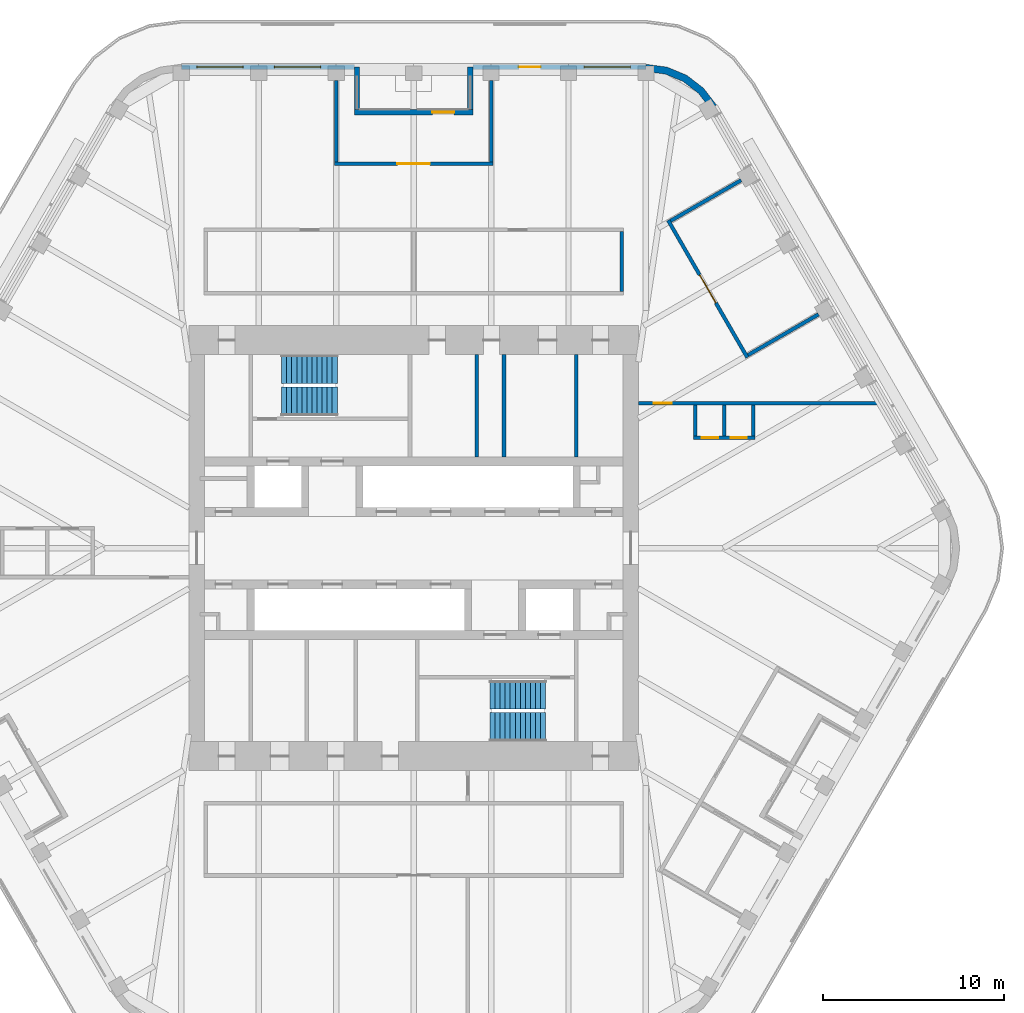
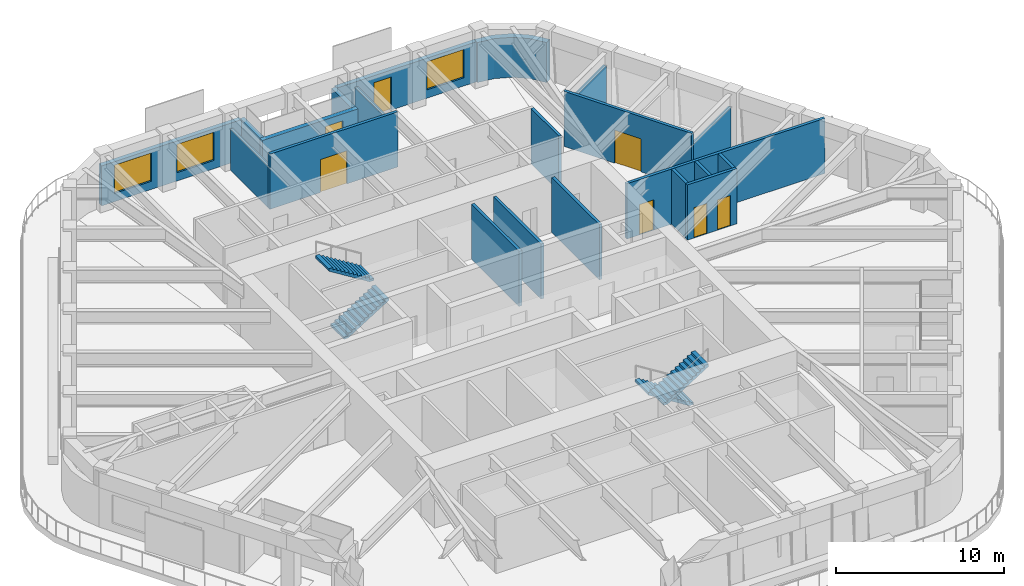
# One storey, part 16 of 19: 21 walls, 7 doors, 4 stair flights, 3 windows, 10 openings, 2 elements without a shape of their own.
"""IFC4 building model written with IfcOpenShell, lengths in metres."""

from ifc_helpers import new_model, si_unit, direction, frame, frame_2d, origin, place, context, subcontext, project, spatial, polyline, rectangle, outline, extrude, material, layer, layer_set, type_object, element, fill, aggregate, save


model = new_model("IFC4")

# Units and contexts
model_context = context("Model", 3, precision=1e-05, world=origin(), true_north=direction((0.0, 1.0)))
body_context = subcontext(model_context, "Body", "Model", "MODEL_VIEW")
ifc_project = project(units=[si_unit("LENGTHUNIT", "METRE"), si_unit("AREAUNIT", "SQUARE_METRE"), si_unit("VOLUMEUNIT", "CUBIC_METRE"), si_unit("PLANEANGLEUNIT", "RADIAN"), si_unit("MASSUNIT", "GRAM", prefix="KILO")], contexts=[model_context])

# Site, building, storey
site_placement = place(None, origin())
site = spatial("IfcSite", under=ifc_project, at=site_placement, CompositionType="ELEMENT")
building_placement = place(site_placement, origin())
building = spatial("IfcBuilding", under=site, at=building_placement, Name="Tarfa Lantern Tower", CompositionType="ELEMENT")
storey_placement = place(building_placement, frame((0.0, 0.0, 353.5)))
storey = spatial("IfcBuildingStorey", under=building, at=storey_placement, Name="L80", CompositionType="ELEMENT", Elevation=353.5)

# Wall, openings, door, window
ifc_material_1 = material(Name="Limestone cladding on blockwork", Category="masonry")
ifc_layer_1 = layer(ifc_material_1, 0.300048828125)
ifc_layer_set_1 = layer_set([ifc_layer_1], Name="EW1 STONE-CLAD WALL 300")
wall_type_1 = type_object("IfcWallType", Name="EW1 STONE-CLAD WALL 300", PredefinedType="SOLIDWALL", material=ifc_layer_set_1)
wall_1_placement = place(storey_placement, frame((12.845947265625, 26.60009765625, 0.0), z_axis=(0.0, 0.0, 1.0), x_axis=(-1.0, 0.0, 0.0)))
wall_1 = element("IfcWall", 1, at=wall_1_placement, inside=storey, type_object=wall_type_1, Name="Stone wall N", PredefinedType="SOLIDWALL", context=body_context, shape_type="SweptSolid", body=[
    extrude(rectangle(XDim=9.56396484375, YDim=0.300048828125, at=frame_2d((4.781982421875, 0.0))), origin(), (0.0, 0.0, 1.0), 2.89990234375),
])
opening_1_placement = place(wall_1_placement, frame((0.865966796875, 0.0, 0.60009765625)))
opening_1 = element("IfcOpeningElement", 2, at=opening_1_placement, cuts=wall_1, Name="Opening W17", PredefinedType="OPENING", context=body_context, shape_type="SweptSolid", body=[
    extrude(rectangle(XDim=2.550048828125, YDim=2.050048828125, at=frame_2d((1.27490234375, 1.02490234375))), frame((0.0, 0.159912109375, 0.0), z_axis=(0.0, -1.0, 0.0), x_axis=(1.0, 0.0, 0.0)), (0.0, 0.0, 1.0), 0.320068359375),
])
opening_2_placement = place(wall_1_placement, frame((5.822998046875, 0.0, 0.0)))
opening_2 = element("IfcOpeningElement", 3, at=opening_2_placement, cuts=wall_1, Name="Opening D38", PredefinedType="OPENING", context=body_context, shape_type="SweptSolid", body=[
    extrude(rectangle(XDim=1.199951171875, YDim=2.39990234375, at=frame_2d((0.60009765625, 1.199951171875))), frame((0.0, 0.159912109375, 0.0), z_axis=(0.0, -1.0, 0.0), x_axis=(1.0, 0.0, 0.0)), (0.0, 0.0, 1.0), 0.320068359375),
])
ifc_material_2 = material(Name="Aluminium framed glazed door", Category="aluminium")
door_type_1 = type_object("IfcDoorType", Name="BE3 BALCONY DOOR 1200x2400", OperationType="SINGLE_SWING_RIGHT", PredefinedType="DOOR", material=ifc_material_2)
door_1_placement = place(opening_2_placement, origin())
door_1 = element("IfcDoor", 4, at=door_1_placement, inside=storey, type_object=door_type_1, Name="Balcony door N", OperationType="SINGLE_SWING_LEFT", OverallHeight=2.39990234375, OverallWidth=1.199951171875, PredefinedType="DOOR", context=body_context, shape_type="SweptSolid", body=[
    extrude(rectangle(XDim=1.199951171875, YDim=2.39990234375, at=frame_2d((0.60009765625, 1.199951171875))), frame((0.0, 0.02490234375, 0.0), z_axis=(0.0, -1.0, 0.0), x_axis=(1.0, 0.0, 0.0)), (0.0, 0.0, 1.0), 0.050048828125),
])
fill(opening_2, door_1)
ifc_material_3 = material(Name="Aluminium frame, double glazed", Category="aluminium")
window_type = type_object("IfcWindowType", Name="W17 FULL-HEIGHT GLAZING 2550x2050", PartitioningType="SINGLE_PANEL", PredefinedType="WINDOW", material=ifc_material_3)
window_1_placement = place(opening_1_placement, origin())
window_1 = element("IfcWindow", 5, at=window_1_placement, inside=storey, type_object=window_type, Name="Window N 1", OverallHeight=2.050048828125, OverallWidth=2.550048828125, PartitioningType="SINGLE_PANEL", PredefinedType="WINDOW", context=body_context, shape_type="SweptSolid", body=[
    extrude(rectangle(XDim=2.550048828125, YDim=2.050048828125, at=frame_2d((1.27490234375, 1.02490234375))), frame((0.0, 0.030029296875, 0.0), z_axis=(0.0, -1.0, 0.0), x_axis=(1.0, 0.0, 0.0)), (0.0, 0.0, 1.0), 0.06005859375),
])
fill(opening_1, window_1)

# Wall, openings, windows
wall_2_placement = place(storey_placement, frame((-3.281982421875, 26.60009765625, 0.0), z_axis=(0.0, 0.0, 1.0), x_axis=(-1.0, 0.0, 0.0)))
wall_2 = element("IfcWall", 6, at=wall_2_placement, inside=storey, type_object=wall_type_1, Name="Stone wall NB", PredefinedType="SOLIDWALL", context=body_context, shape_type="SweptSolid", body=[
    extrude(rectangle(XDim=9.56396484375, YDim=0.300048828125, at=frame_2d((4.781982421875, 0.0))), origin(), (0.0, 0.0, 1.0), 2.89990234375),
])
opening_3_placement = place(wall_2_placement, frame((1.865966796875, 0.0, 0.60009765625)))
opening_3 = element("IfcOpeningElement", 7, at=opening_3_placement, cuts=wall_2, Name="Opening W17", PredefinedType="OPENING", context=body_context, shape_type="SweptSolid", body=[
    extrude(rectangle(XDim=2.550048828125, YDim=2.050048828125, at=frame_2d((1.27490234375, 1.02490234375))), frame((0.0, 0.159912109375, 0.0), z_axis=(0.0, -1.0, 0.0), x_axis=(1.0, 0.0, 0.0)), (0.0, 0.0, 1.0), 0.320068359375),
])
opening_4_placement = place(wall_2_placement, frame((6.14794921875, 0.0, 0.60009765625)))
opening_4 = element("IfcOpeningElement", 8, at=opening_4_placement, cuts=wall_2, Name="Opening W17", PredefinedType="OPENING", context=body_context, shape_type="SweptSolid", body=[
    extrude(rectangle(XDim=2.550048828125, YDim=2.050048828125, at=frame_2d((1.27490234375, 1.02490234375))), frame((0.0, 0.159912109375, 0.0), z_axis=(0.0, -1.0, 0.0), x_axis=(1.0, 0.0, 0.0)), (0.0, 0.0, 1.0), 0.320068359375),
])
window_2_placement = place(opening_3_placement, origin())
window_2 = element("IfcWindow", 9, at=window_2_placement, inside=storey, type_object=window_type, Name="Window NB 1", OverallHeight=2.050048828125, OverallWidth=2.550048828125, PartitioningType="SINGLE_PANEL", PredefinedType="WINDOW", context=body_context, shape_type="SweptSolid", body=[
    extrude(rectangle(XDim=2.550048828125, YDim=2.050048828125, at=frame_2d((1.27490234375, 1.02490234375))), frame((0.0, 0.030029296875, 0.0), z_axis=(0.0, -1.0, 0.0), x_axis=(1.0, 0.0, 0.0)), (0.0, 0.0, 1.0), 0.06005859375),
])
fill(opening_3, window_2)
window_3_placement = place(opening_4_placement, origin())
window_3 = element("IfcWindow", 10, at=window_3_placement, inside=storey, type_object=window_type, Name="Window NB 2", OverallHeight=2.050048828125, OverallWidth=2.550048828125, PartitioningType="SINGLE_PANEL", PredefinedType="WINDOW", context=body_context, shape_type="SweptSolid", body=[
    extrude(rectangle(XDim=2.550048828125, YDim=2.050048828125, at=frame_2d((1.27490234375, 1.02490234375))), frame((0.0, 0.030029296875, 0.0), z_axis=(0.0, -1.0, 0.0), x_axis=(1.0, 0.0, 0.0)), (0.0, 0.0, 1.0), 0.06005859375),
])
fill(opening_4, window_3)

# Walls
for number, where, z_axis, x_axis, name in (
    (11, (3.132080078125, 26.60009765625, 0.0), (0.0, 0.0, 1.0), (0.0, -1.0, 0.0), "Terrace return N 1"),
    (12, (-3.132080078125, 26.60009765625, 0.0), (0.0, 0.0, 1.0), (0.0, -1.0, 0.0), "Terrace return N 2"),
):
    element("IfcWall", number, at=place(storey_placement, frame(where, z_axis=z_axis, x_axis=x_axis)), inside=storey, type_object=wall_type_1, Name=name, PredefinedType="SOLIDWALL", context=body_context, shape_type="SweptSolid", body=[
        extrude(rectangle(XDim=2.35009765625, YDim=0.300048828125, at=frame_2d((1.175048828125, 0.0))), origin(), (0.0, 0.0, 1.0), 2.89990234375),
    ])

# Wall, opening, door
wall_3_placement = place(storey_placement, frame((3.281982421875, 24.10009765625, 0.0), z_axis=(0.0, 0.0, 1.0), x_axis=(-1.0, 0.0, 0.0)))
wall_3 = element("IfcWall", 13, at=wall_3_placement, inside=storey, type_object=wall_type_1, Name="Stone wall NS", PredefinedType="SOLIDWALL", context=body_context, shape_type="SweptSolid", body=[
    extrude(rectangle(XDim=6.56396484375, YDim=0.300048828125, at=frame_2d((3.281982421875, 0.0))), origin(), (0.0, 0.0, 1.0), 2.89990234375),
])
opening_5_placement = place(wall_3_placement, frame((1.041015625, 0.0, 0.0)))
opening_5 = element("IfcOpeningElement", 14, at=opening_5_placement, cuts=wall_3, Name="Opening D39", PredefinedType="OPENING", context=body_context, shape_type="SweptSolid", body=[
    extrude(rectangle(XDim=1.199951171875, YDim=2.39990234375, at=frame_2d((0.60009765625, 1.199951171875))), frame((0.0, 0.159912109375, 0.0), z_axis=(0.0, -1.0, 0.0), x_axis=(1.0, 0.0, 0.0)), (0.0, 0.0, 1.0), 0.320068359375),
])
door_2_placement = place(opening_5_placement, origin())
door_2 = element("IfcDoor", 15, at=door_2_placement, inside=storey, type_object=door_type_1, Name="Balcony door NS", OperationType="SINGLE_SWING_RIGHT", OverallHeight=2.39990234375, OverallWidth=1.199951171875, PredefinedType="DOOR", context=body_context, shape_type="SweptSolid", body=[
    extrude(rectangle(XDim=1.199951171875, YDim=2.39990234375, at=frame_2d((0.60009765625, 1.199951171875))), frame((0.0, 0.02490234375, 0.0), z_axis=(0.0, -1.0, 0.0), x_axis=(1.0, 0.0, 0.0)), (0.0, 0.0, 1.0), 0.050048828125),
])
fill(opening_5, door_2)

# Walls
ifc_layer_2 = layer(ifc_material_1, 0.39990234375)
ifc_layer_set_2 = layer_set([ifc_layer_2], Name="EW2 CURVED STONE CORNER 400")
wall_type_2 = type_object("IfcWallType", Name="EW2 CURVED STONE CORNER 400", PredefinedType="SOLIDWALL", material=ifc_layer_set_2)
wall_4_placement = place(storey_placement, origin())
element("IfcWall", 16, at=wall_4_placement, inside=storey, type_object=wall_type_2, Name="Stone corner NE-N", PredefinedType="SOLIDWALL", context=body_context, shape_type="SweptSolid", body=[
    extrude(outline(polyline([(16.7431640625, 24.5), (16.028076171875, 25.431884765625), (15.095947265625, 26.147216796875), (14.0107421875, 26.5966796875), (12.845947265625, 26.75), (12.845947265625, 26.35009765625), (13.9072265625, 26.210205078125), (14.89599609375, 25.80078125), (15.7451171875, 25.149169921875), (16.396728515625, 24.300048828125), (16.7431640625, 24.5)])), origin(), (0.0, 0.0, 1.0), 2.89990234375),
])
ifc_material_4 = material(Name="Concrete blockwork", Category="masonry")
ifc_layer_3 = layer(ifc_material_4, 0.199951171875)
ifc_layer_set_3 = layer_set([ifc_layer_3], Name="IW1 BLOCKWORK PARTITION 200 EI 120")
wall_type_3 = type_object("IfcWallType", Name="IW1 BLOCKWORK PARTITION 200 EI 120", PredefinedType="PARTITIONING", material=ifc_layer_set_3)
for number, where, z_axis, x_axis, name in (
    (17, (9.0, 5.050048828125, 0.0), (0.0, 0.0, 1.0), (0.0, 1.0, 0.0), "Core partition"),
    (18, (3.5, 5.050048828125, 0.0), (0.0, 0.0, 1.0), (0.0, 1.0, 0.0), "Core partition"),
    (19, (5.0, 5.050048828125, 0.0), (0.0, 0.0, 1.0), (0.0, 1.0, 0.0), "Core partition"),
):
    element("IfcWall", number, at=place(storey_placement, frame(where, z_axis=z_axis, x_axis=x_axis)), inside=storey, type_object=wall_type_3, Name=name, PredefinedType="PARTITIONING", context=body_context, shape_type="SweptSolid", body=[
        extrude(rectangle(XDim=5.64990234375, YDim=0.199951171875, at=frame_2d((2.824951171875, 0.0))), origin(), (0.0, 0.0, 1.0), 4.0),
    ])
ifc_material_5 = material(Name="Gypsum board on steel studs", Category="steel")
ifc_layer_4 = layer(ifc_material_5, 0.2099609375)
ifc_layer_set_4 = layer_set([ifc_layer_4], Name="IW2 ACOUSTIC PARTITION 200")
wall_type_4 = type_object("IfcWallType", Name="IW2 ACOUSTIC PARTITION 200", PredefinedType="PARTITIONING", material=ifc_layer_set_4)
wall_5_placement = place(storey_placement, frame((11.5, 14.199951171875, 0.0), z_axis=(0.0, 0.0, 1.0), x_axis=(0.0, 1.0, 0.0)))
element("IfcWall", 20, at=wall_5_placement, inside=storey, type_object=wall_type_4, Name="Partition", PredefinedType="PARTITIONING", context=body_context, shape_type="SweptSolid", body=[
    extrude(rectangle(XDim=3.300048828125, YDim=0.199951171875, at=frame_2d((1.64990234375, 0.0))), origin(), (0.0, 0.0, 1.0), 4.0),
])

# Wall, opening, door
wall_6_placement = place(storey_placement, frame((4.382080078125, 21.25, 0.0), z_axis=(0.0, 0.0, 1.0), x_axis=(-1.0, 0.0, 0.0)))
wall_6 = element("IfcWall", 21, at=wall_6_placement, inside=storey, type_object=wall_type_4, Name="Partition", PredefinedType="PARTITIONING", context=body_context, shape_type="SweptSolid", body=[
    extrude(rectangle(XDim=8.76416015625, YDim=0.199951171875, at=frame_2d((4.382080078125, 0.0))), origin(), (0.0, 0.0, 1.0), 4.0),
])
opening_6_placement = place(wall_6_placement, frame((3.48193359375, 0.0, 0.0)))
opening_6 = element("IfcOpeningElement", 22, at=opening_6_placement, cuts=wall_6, Name="Opening D21", PredefinedType="OPENING", context=body_context, shape_type="SweptSolid", body=[
    extrude(rectangle(XDim=1.800048828125, YDim=2.39990234375, at=frame_2d((0.89990234375, 1.199951171875))), frame((0.0, 0.10986328125, 0.0), z_axis=(0.0, -1.0, 0.0), x_axis=(1.0, 0.0, 0.0)), (0.0, 0.0, 1.0), 0.219970703125),
])
ifc_material_6 = material(Name="Timber door", Category="wood")
door_type_2 = type_object("IfcDoorType", Name="DR2 ROOM DOOR 1800x2400", OperationType="DOUBLE_DOOR_SINGLE_SWING", PredefinedType="DOOR", material=ifc_material_6)
door_3_placement = place(opening_6_placement, frame((1.800048828125, 0.0, 0.0), z_axis=(0.0, 0.0, 1.0), x_axis=(-1.0, 0.0, 0.0)))
door_3 = element("IfcDoor", 23, at=door_3_placement, inside=storey, type_object=door_type_2, Name="Briefing room door", OperationType="DOUBLE_DOOR_SINGLE_SWING", OverallHeight=2.39990234375, OverallWidth=1.800048828125, PredefinedType="DOOR", context=body_context, shape_type="SweptSolid", body=[
    extrude(rectangle(XDim=1.800048828125, YDim=2.39990234375, at=frame_2d((0.89990234375, 1.199951171875))), frame((0.0, 0.02490234375, 0.0), z_axis=(0.0, -1.0, 0.0), x_axis=(1.0, 0.0, 0.0)), (0.0, 0.0, 1.0), 0.050048828125),
])
fill(opening_6, door_3)

# Walls
for number, where, z_axis, x_axis, name in (
    (24, (4.281982421875, 21.35009765625, 0.0), (0.0, 0.0, 1.0), (0.0, 1.0, 0.0), "Partition"),
    (25, (-4.281982421875, 21.35009765625, 0.0), (0.0, 0.0, 1.0), (0.0, 1.0, 0.0), "Partition"),
):
    element("IfcWall", number, at=place(storey_placement, frame(where, z_axis=z_axis, x_axis=x_axis)), inside=storey, type_object=wall_type_4, Name=name, PredefinedType="PARTITIONING", context=body_context, shape_type="SweptSolid", body=[
        extrude(rectangle(XDim=4.5, YDim=0.199951171875, at=frame_2d((2.25, 0.0))), origin(), (0.0, 0.0, 1.0), 2.991943359375),
    ])

# Wall, opening, door
wall_7_placement = place(storey_placement, frame((18.453125, 10.538330078125, 0.0), z_axis=(0.0, 0.0, 1.0), x_axis=(-0.500006995557, 0.86602136486, 0.0)))
wall_7 = element("IfcWall", 26, at=wall_7_placement, inside=storey, type_object=wall_type_4, Name="Partition", PredefinedType="PARTITIONING", context=body_context, shape_type="SweptSolid", body=[
    extrude(rectangle(XDim=8.763916015625, YDim=0.199951171875, at=frame_2d((4.3818359375, 0.0))), origin(), (0.0, 0.0, 1.0), 4.0),
])
opening_7_placement = place(wall_7_placement, frame((3.48193359375, 0.0, 0.0)))
opening_7 = element("IfcOpeningElement", 27, at=opening_7_placement, cuts=wall_7, Name="Opening D22", PredefinedType="OPENING", context=body_context, shape_type="SweptSolid", body=[
    extrude(rectangle(XDim=1.800048828125, YDim=2.39990234375, at=frame_2d((0.89990234375, 1.199951171875))), frame((0.0, 0.10986328125, 0.0), z_axis=(0.0, -1.0, 0.0), x_axis=(1.0, 0.0, 0.0)), (0.0, 0.0, 1.0), 0.219970703125),
])
door_4_placement = place(opening_7_placement, frame((1.800048828125, 0.0, 0.0), z_axis=(0.0, 0.0, 1.0), x_axis=(-1.0, 0.0, 0.0)))
door_4 = element("IfcDoor", 28, at=door_4_placement, inside=storey, type_object=door_type_2, Name="Majlis door", OperationType="DOUBLE_DOOR_SINGLE_SWING", OverallHeight=2.39990234375, OverallWidth=1.800048828125, PredefinedType="DOOR", context=body_context, shape_type="SweptSolid", body=[
    extrude(rectangle(XDim=1.800048828125, YDim=2.39990234375, at=frame_2d((0.89990234375, 1.199951171875))), frame((0.0, 0.02490234375, 0.0), z_axis=(0.0, -1.0, 0.0), x_axis=(1.0, 0.0, 0.0)), (0.0, 0.0, 1.0), 0.050048828125),
])
fill(opening_7, door_4)

# Walls
wall_8_placement = place(storey_placement, frame((18.48974609375, 10.675048828125, 0.0), z_axis=(0.0, 0.0, 1.0), x_axis=(0.866017533419, 0.500013631625, 0.0)))
element("IfcWall", 29, at=wall_8_placement, inside=storey, type_object=wall_type_4, Name="Partition", PredefinedType="PARTITIONING", context=body_context, shape_type="SweptSolid", body=[
    extrude(rectangle(XDim=4.499755859375, YDim=0.199951171875, at=frame_2d((2.25, 0.0))), origin(), (0.0, 0.0, 1.0), 3.08154296875),
])
wall_9_placement = place(storey_placement, frame((14.20751953125, 18.091552734375, 0.0), z_axis=(0.0, 0.0, 1.0), x_axis=(0.866031096941, 0.499990139034, 0.0)))
element("IfcWall", 30, at=wall_9_placement, inside=storey, type_object=wall_type_4, Name="Partition", PredefinedType="PARTITIONING", context=body_context, shape_type="SweptSolid", body=[
    extrude(rectangle(XDim=4.5, YDim=0.199951171875, at=frame_2d((2.25, 0.0))), origin(), (0.0, 0.0, 1.0), 3.08154296875),
])

# Wall, opening, door
wall_10_placement = place(storey_placement, frame((12.425048828125, 8.0, 0.0), z_axis=(0.0, 0.0, 1.0), x_axis=(1.0, 0.0, 0.0)))
wall_10 = element("IfcWall", 31, at=wall_10_placement, inside=storey, type_object=wall_type_4, Name="Partition", PredefinedType="PARTITIONING", context=body_context, shape_type="SweptSolid", body=[
    extrude(rectangle(XDim=13.59033203125, YDim=0.199951171875, at=frame_2d((6.795166015625, 0.0))), origin(), (0.0, 0.0, 1.0), 4.0),
])
opening_8_placement = place(wall_10_placement, frame((0.859130859375, 0.0, 0.0)))
opening_8 = element("IfcOpeningElement", 32, at=opening_8_placement, cuts=wall_10, Name="Opening D35", PredefinedType="OPENING", context=body_context, shape_type="SweptSolid", body=[
    extrude(rectangle(XDim=1.0, YDim=2.199951171875, at=frame_2d((0.5, 1.10009765625))), frame((0.0, 0.10986328125, 0.0), z_axis=(0.0, -1.0, 0.0), x_axis=(1.0, 0.0, 0.0)), (0.0, 0.0, 1.0), 0.219970703125),
])
door_type_3 = type_object("IfcDoorType", Name="DR1 ROOM DOOR 1000x2200", OperationType="SINGLE_SWING_LEFT", PredefinedType="DOOR", material=ifc_material_6)
door_5_placement = place(opening_8_placement, frame((1.0, 0.0, 0.0), z_axis=(0.0, 0.0, 1.0), x_axis=(-1.0, 0.0, 0.0)))
door_5 = element("IfcDoor", 33, at=door_5_placement, inside=storey, type_object=door_type_3, Name="Zone door", OperationType="SINGLE_SWING_LEFT", OverallHeight=2.199951171875, OverallWidth=1.0, PredefinedType="DOOR", context=body_context, shape_type="SweptSolid", body=[
    extrude(rectangle(XDim=1.0, YDim=2.199951171875, at=frame_2d((0.5, 1.10009765625))), frame((0.0, 0.02490234375, 0.0), z_axis=(0.0, -1.0, 0.0), x_axis=(1.0, 0.0, 0.0)), (0.0, 0.0, 1.0), 0.050048828125),
])
fill(opening_8, door_5)

# Wall, openings, doors
wall_11_placement = place(storey_placement, frame((15.481689453125, 6.10009765625, 0.0), z_axis=(0.0, 0.0, 1.0), x_axis=(1.0, 0.0, 0.0)))
wall_11 = element("IfcWall", 34, at=wall_11_placement, inside=storey, type_object=wall_type_4, Name="Partition", PredefinedType="PARTITIONING", context=body_context, shape_type="SweptSolid", body=[
    extrude(rectangle(XDim=3.39990234375, YDim=0.199951171875, at=frame_2d((1.699951171875, 0.0))), origin(), (0.0, 0.0, 1.0), 4.0),
])
opening_9_placement = place(wall_11_placement, frame((0.449951171875, 0.0, 0.0)))
opening_9 = element("IfcOpeningElement", 35, at=opening_9_placement, cuts=wall_11, Name="Opening D33", PredefinedType="OPENING", context=body_context, shape_type="SweptSolid", body=[
    extrude(rectangle(XDim=0.89990234375, YDim=2.199951171875, at=frame_2d((0.449951171875, 1.10009765625))), frame((0.0, 0.10986328125, 0.0), z_axis=(0.0, -1.0, 0.0), x_axis=(1.0, 0.0, 0.0)), (0.0, 0.0, 1.0), 0.219970703125),
])
opening_10_placement = place(wall_11_placement, frame((2.050048828125, 0.0, 0.0)))
opening_10 = element("IfcOpeningElement", 36, at=opening_10_placement, cuts=wall_11, Name="Opening D34", PredefinedType="OPENING", context=body_context, shape_type="SweptSolid", body=[
    extrude(rectangle(XDim=0.89990234375, YDim=2.199951171875, at=frame_2d((0.449951171875, 1.10009765625))), frame((0.0, 0.10986328125, 0.0), z_axis=(0.0, -1.0, 0.0), x_axis=(1.0, 0.0, 0.0)), (0.0, 0.0, 1.0), 0.219970703125),
])
door_type_4 = type_object("IfcDoorType", Name="DR3 ROOM DOOR 900x2200", OperationType="SINGLE_SWING_LEFT", PredefinedType="DOOR", material=ifc_material_6)
door_6_placement = place(opening_9_placement, origin())
door_6 = element("IfcDoor", 37, at=door_6_placement, inside=storey, type_object=door_type_4, Name="Phone booth door", OperationType="SINGLE_SWING_RIGHT", OverallHeight=2.199951171875, OverallWidth=0.89990234375, PredefinedType="DOOR", context=body_context, shape_type="SweptSolid", body=[
    extrude(rectangle(XDim=0.89990234375, YDim=2.199951171875, at=frame_2d((0.449951171875, 1.10009765625))), frame((0.0, 0.02490234375, 0.0), z_axis=(0.0, -1.0, 0.0), x_axis=(1.0, 0.0, 0.0)), (0.0, 0.0, 1.0), 0.050048828125),
])
fill(opening_9, door_6)
door_7_placement = place(opening_10_placement, origin())
door_7 = element("IfcDoor", 38, at=door_7_placement, inside=storey, type_object=door_type_4, Name="Phone booth door", OperationType="SINGLE_SWING_LEFT", OverallHeight=2.199951171875, OverallWidth=0.89990234375, PredefinedType="DOOR", context=body_context, shape_type="SweptSolid", body=[
    extrude(rectangle(XDim=0.89990234375, YDim=2.199951171875, at=frame_2d((0.449951171875, 1.10009765625))), frame((0.0, 0.02490234375, 0.0), z_axis=(0.0, -1.0, 0.0), x_axis=(1.0, 0.0, 0.0)), (0.0, 0.0, 1.0), 0.050048828125),
])
fill(opening_10, door_7)

# Walls
for number, where, z_axis, x_axis, name in (
    (39, (15.58154296875, 7.89990234375, 0.0), (0.0, 0.0, 1.0), (0.0, -1.0, 0.0), "Partition"),
    (40, (17.181640625, 7.89990234375, 0.0), (0.0, 0.0, 1.0), (0.0, -1.0, 0.0), "Partition"),
    (41, (18.781494140625, 7.89990234375, 0.0), (0.0, 0.0, 1.0), (0.0, -1.0, 0.0), "Partition"),
):
    element("IfcWall", number, at=place(storey_placement, frame(where, z_axis=z_axis, x_axis=x_axis)), inside=storey, type_object=wall_type_4, Name=name, PredefinedType="PARTITIONING", context=body_context, shape_type="SweptSolid", body=[
        extrude(rectangle(XDim=1.699951171875, YDim=0.199951171875, at=frame_2d((0.85009765625, 0.0))), origin(), (0.0, 0.0, 1.0), 4.0),
    ])

# Stair, stair flights
ifc_material_7 = material(Name="Concrete C40/50", Category="concrete")
stair_type = type_object("IfcStairType", Name="ST-T10 HALF-TURN STAIR 4200 RISE", PredefinedType="HALF_TURN_STAIR", material=ifc_material_7)
stair_1_placement = place(storey_placement, origin())
stair_1 = element("IfcStair", 42, at=stair_1_placement, inside=storey, type_object=stair_type, Name="Stair ST1", PredefinedType="HALF_TURN_STAIR")
stair_flight_type = type_object("IfcStairFlightType", Name="SF1 STAIR FLIGHT", PredefinedType="STRAIGHT", material=ifc_material_7)
stair_flight_1_placement = place(storey_placement, frame((-7.300048828125, 8.10009765625, 0.0), z_axis=(0.0, 0.0, 1.0), x_axis=(1.0, 0.0, 0.0)))
stair_flight_1 = element("IfcStairFlight", 43, at=stair_flight_1_placement, type_object=stair_flight_type, Name="ST1 flight 1", NumberOfRisers=12, NumberOfTreads=11, PredefinedType="STRAIGHT", RiserHeight=0.175, TreadLength=0.28, context=body_context, shape_type="SweptSolid", body=[
    extrude(outline(polyline([(0.0, 0.0), (0.0, 0.175048828125), (0.280029296875, 0.175048828125), (0.280029296875, 0.35009765625), (0.56005859375, 0.35009765625), (0.56005859375, 0.52490234375), (0.840087890625, 0.52490234375), (0.840087890625, 0.699951171875), (1.1201171875, 0.699951171875), (1.1201171875, 0.875), (1.39990234375, 0.875), (1.39990234375, 1.050048828125), (1.679931640625, 1.050048828125), (1.679931640625, 1.22509765625), (1.9599609375, 1.22509765625), (1.9599609375, 1.39990234375), (2.239990234375, 1.39990234375), (2.239990234375, 1.574951171875), (2.52001953125, 1.574951171875), (2.52001953125, 1.75), (2.800048828125, 1.75), (2.800048828125, 1.925048828125), (3.080078125, 1.925048828125), (3.080078125, 2.10009765625), (3.080078125, 1.748291015625), (0.28271484375, 0.0), (0.0, 0.0)])), frame((0.0, 0.800048828125, 0.0), z_axis=(0.0, -1.0, 0.0), x_axis=(1.0, 0.0, 0.0)), (0.0, 0.0, 1.0), 1.60009765625),
])
stair_flight_2_placement = place(storey_placement, frame((-4.219970703125, 9.89990234375, 2.10009765625), z_axis=(0.0, 0.0, 1.0), x_axis=(-1.0, 0.0, 0.0)))
stair_flight_2 = element("IfcStairFlight", 44, at=stair_flight_2_placement, type_object=stair_flight_type, Name="ST1 flight 2", NumberOfRisers=12, NumberOfTreads=11, PredefinedType="STRAIGHT", RiserHeight=0.175, TreadLength=0.28, context=body_context, shape_type="SweptSolid", body=[
    extrude(outline(polyline([(0.0, 0.0), (0.0, 0.175048828125), (0.280029296875, 0.175048828125), (0.280029296875, 0.35009765625), (0.56005859375, 0.35009765625), (0.56005859375, 0.52490234375), (0.840087890625, 0.52490234375), (0.840087890625, 0.699951171875), (1.1201171875, 0.699951171875), (1.1201171875, 0.875), (1.39990234375, 0.875), (1.39990234375, 1.050048828125), (1.679931640625, 1.050048828125), (1.679931640625, 1.22509765625), (1.9599609375, 1.22509765625), (1.9599609375, 1.39990234375), (2.239990234375, 1.39990234375), (2.239990234375, 1.574951171875), (2.52001953125, 1.574951171875), (2.52001953125, 1.75), (2.800048828125, 1.75), (2.800048828125, 1.925048828125), (3.080078125, 1.925048828125), (3.080078125, 2.10009765625), (3.080078125, 1.748291015625), (0.28271484375, 0.0), (0.0, 0.0)])), frame((0.0, 0.800048828125, 0.0), z_axis=(0.0, -1.0, 0.0), x_axis=(1.0, 0.0, 0.0)), (0.0, 0.0, 1.0), 1.60009765625),
])
aggregate(stair_1, [stair_flight_1, stair_flight_2])

stair_2_placement = place(storey_placement, origin())
stair_2 = element("IfcStair", 45, at=stair_2_placement, inside=storey, type_object=stair_type, Name="Stair ST2", PredefinedType="HALF_TURN_STAIR")
stair_flight_3_placement = place(storey_placement, frame((7.300048828125, -8.10009765625, 0.0), z_axis=(0.0, 0.0, 1.0), x_axis=(-1.0, 0.0, 0.0)))
stair_flight_3 = element("IfcStairFlight", 46, at=stair_flight_3_placement, type_object=stair_flight_type, Name="ST2 flight 1", NumberOfRisers=12, NumberOfTreads=11, PredefinedType="STRAIGHT", RiserHeight=0.175, TreadLength=0.28, context=body_context, shape_type="SweptSolid", body=[
    extrude(outline(polyline([(0.0, 0.0), (0.0, 0.175048828125), (0.280029296875, 0.175048828125), (0.280029296875, 0.35009765625), (0.56005859375, 0.35009765625), (0.56005859375, 0.52490234375), (0.840087890625, 0.52490234375), (0.840087890625, 0.699951171875), (1.1201171875, 0.699951171875), (1.1201171875, 0.875), (1.39990234375, 0.875), (1.39990234375, 1.050048828125), (1.679931640625, 1.050048828125), (1.679931640625, 1.22509765625), (1.9599609375, 1.22509765625), (1.9599609375, 1.39990234375), (2.239990234375, 1.39990234375), (2.239990234375, 1.574951171875), (2.52001953125, 1.574951171875), (2.52001953125, 1.75), (2.800048828125, 1.75), (2.800048828125, 1.925048828125), (3.080078125, 1.925048828125), (3.080078125, 2.10009765625), (3.080078125, 1.748291015625), (0.28271484375, 0.0), (0.0, 0.0)])), frame((0.0, 0.800048828125, 0.0), z_axis=(0.0, -1.0, 0.0), x_axis=(1.0, 0.0, 0.0)), (0.0, 0.0, 1.0), 1.60009765625),
])
stair_flight_4_placement = place(storey_placement, frame((4.219970703125, -9.89990234375, 2.10009765625), z_axis=(0.0, 0.0, 1.0), x_axis=(1.0, 0.0, 0.0)))
stair_flight_4 = element("IfcStairFlight", 47, at=stair_flight_4_placement, type_object=stair_flight_type, Name="ST2 flight 2", NumberOfRisers=12, NumberOfTreads=11, PredefinedType="STRAIGHT", RiserHeight=0.175, TreadLength=0.28, context=body_context, shape_type="SweptSolid", body=[
    extrude(outline(polyline([(0.0, 0.0), (0.0, 0.175048828125), (0.280029296875, 0.175048828125), (0.280029296875, 0.35009765625), (0.56005859375, 0.35009765625), (0.56005859375, 0.52490234375), (0.840087890625, 0.52490234375), (0.840087890625, 0.699951171875), (1.1201171875, 0.699951171875), (1.1201171875, 0.875), (1.39990234375, 0.875), (1.39990234375, 1.050048828125), (1.679931640625, 1.050048828125), (1.679931640625, 1.22509765625), (1.9599609375, 1.22509765625), (1.9599609375, 1.39990234375), (2.239990234375, 1.39990234375), (2.239990234375, 1.574951171875), (2.52001953125, 1.574951171875), (2.52001953125, 1.75), (2.800048828125, 1.75), (2.800048828125, 1.925048828125), (3.080078125, 1.925048828125), (3.080078125, 2.10009765625), (3.080078125, 1.748291015625), (0.28271484375, 0.0), (0.0, 0.0)])), frame((0.0, 0.800048828125, 0.0), z_axis=(0.0, -1.0, 0.0), x_axis=(1.0, 0.0, 0.0)), (0.0, 0.0, 1.0), 1.60009765625),
])
aggregate(stair_2, [stair_flight_3, stair_flight_4])

save(model, "model.ifc")
